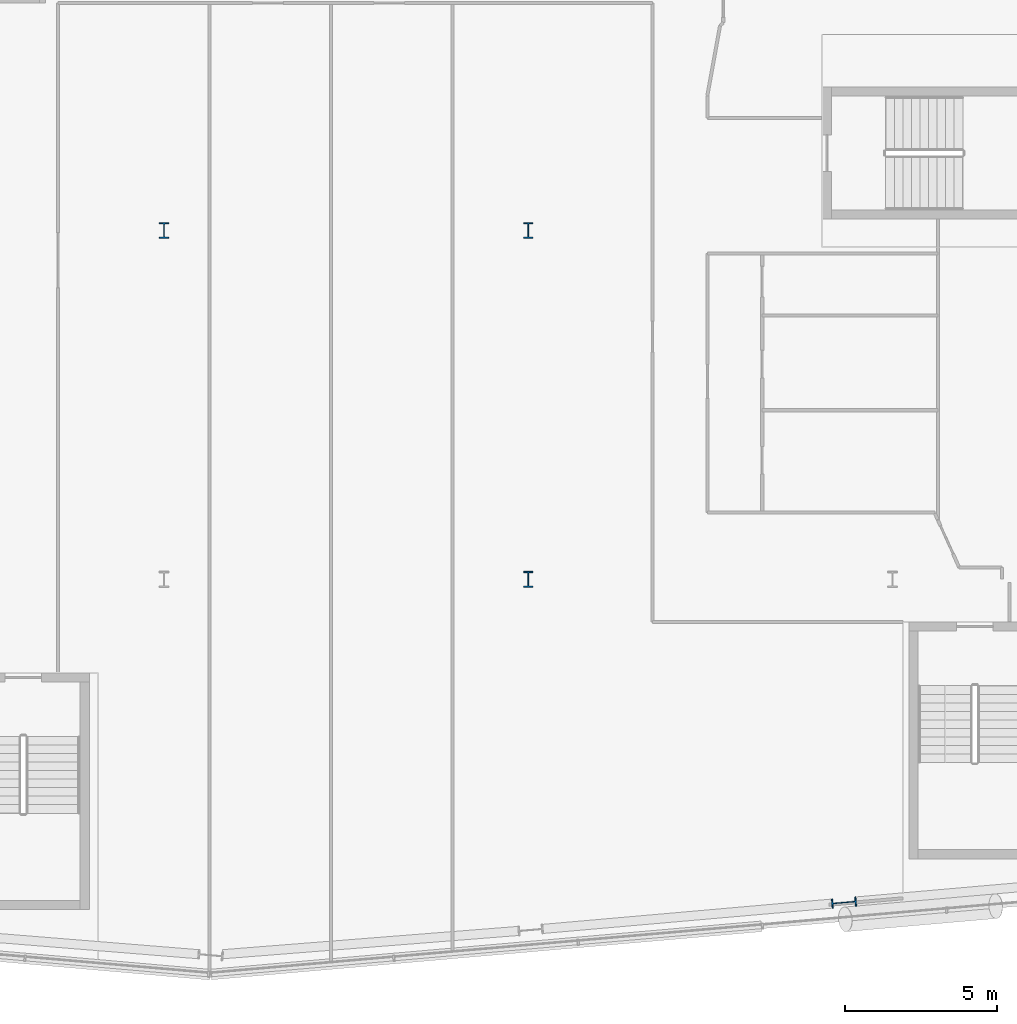
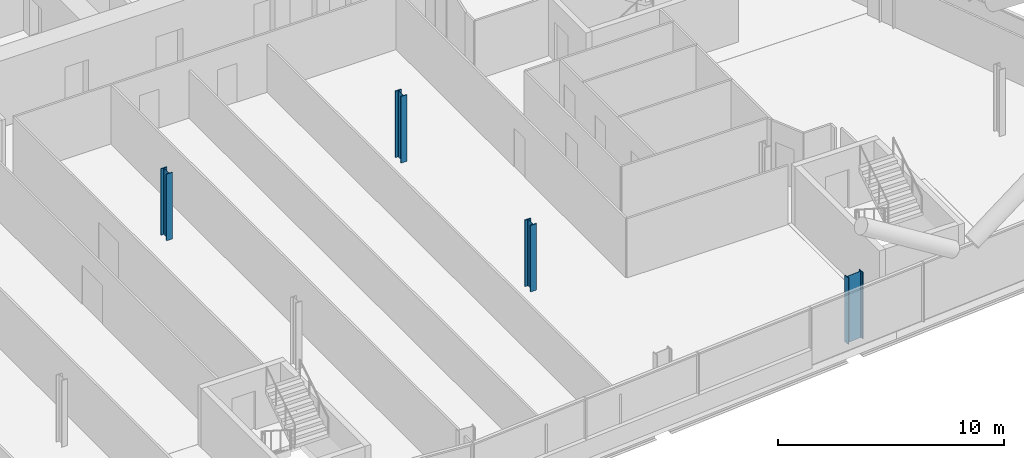
# One storey, part 2 of 26: 4 columns.
"""IFC4 building model written with IfcOpenShell, lengths in metres."""

from ifc_helpers import new_model, si_unit, direction, frame, origin, origin_2d, place, context, subcontext, project, spatial, i_section, extrude, material, material_profile, profile_set, type_object, element, save


model = new_model("IFC4")

# Units and contexts
model_context = context("Model", 3, precision=1e-05, world=origin(), true_north=direction((0.0, 1.0)))
body_context = subcontext(model_context, "Body", "Model", "MODEL_VIEW")
ifc_project = project(units=[si_unit("LENGTHUNIT", "METRE"), si_unit("AREAUNIT", "SQUARE_METRE"), si_unit("VOLUMEUNIT", "CUBIC_METRE"), si_unit("PLANEANGLEUNIT", "RADIAN"), si_unit("MASSUNIT", "GRAM", prefix="KILO")], contexts=[model_context])

# Site, building, storey
site_placement = place(None, origin())
site = spatial("IfcSite", under=ifc_project, at=site_placement, CompositionType="ELEMENT")
building_placement = place(site_placement, origin())
building = spatial("IfcBuilding", under=site, at=building_placement, Name="Wharfspan Tower", CompositionType="ELEMENT")
storey_placement = place(building_placement, frame((0.0, 0.0, 125.5)))
storey = spatial("IfcBuildingStorey", under=building, at=storey_placement, Name="L29", CompositionType="ELEMENT", Elevation=125.5)

# Columns
ifc_material = material(Name="Steel S355J2", Category="steel")
ifc_material_profile_1 = material_profile(ifc_material, i_section(OverallWidth=0.305908, OverallDepth=0.523926, WebThickness=0.020996, FlangeThickness=0.040039, FilletRadius=0.0271, at=origin_2d()))
ifc_profile_set_1 = profile_set([ifc_material_profile_1], Name="Steel S355J2")
column_type_1 = type_object("IfcColumnType", Name="Column HEM 500", PredefinedType="COLUMN", material=ifc_profile_set_1)
for number, where, z_axis, x_axis, name in (
    (1, (60.0, 11.5, 0.0), (0.0, 0.0, 1.0), (1.0, 0.0, 0.0), "Interior column I.1.5 L29"),
    (2, (48.0, 23.0, 0.0), (0.0, 0.0, 1.0), (1.0, 0.0, 0.0), "Interior column I.2.3 L29"),
    (3, (60.0, 23.0, 0.0), (0.0, 0.0, 1.0), (1.0, 0.0, 0.0), "Interior column I.2.4 L29"),
):
    element("IfcColumn", number, at=place(storey_placement, frame(where, z_axis=z_axis, x_axis=x_axis)), inside=storey, type_object=column_type_1, Name=name, PredefinedType="COLUMN", context=body_context, shape_type="SweptSolid", body=[
        extrude(i_section(OverallWidth=0.305908, OverallDepth=0.523926, WebThickness=0.020996, FlangeThickness=0.040039, FilletRadius=0.0271, at=origin_2d()), origin(), (0.0, 0.0, 1.0), 3.600098),
    ])
ifc_material_profile_2 = material_profile(ifc_material, i_section(OverallWidth=0.302979, OverallDepth=0.813965, WebThickness=0.020996, FlangeThickness=0.040039, FilletRadius=0.030029, at=origin_2d()))
ifc_profile_set_2 = profile_set([ifc_material_profile_2], Name="Steel S355J2")
column_type_2 = type_object("IfcColumnType", Name="Column HEM 800", PredefinedType="COLUMN", material=ifc_profile_set_2)
column_placement = place(storey_placement, frame((70.404053, 0.852783, 0.0), z_axis=(0.0, 0.0, 1.0), x_axis=(0.087156, -0.996198, 0.0)))
element("IfcColumn", 4, at=column_placement, inside=storey, type_object=column_type_2, Name="Perimeter column PS2.2 L29", PredefinedType="COLUMN", context=body_context, shape_type="SweptSolid", body=[
    extrude(i_section(OverallWidth=0.302979, OverallDepth=0.813965, WebThickness=0.020996, FlangeThickness=0.040039, FilletRadius=0.030029, at=origin_2d()), origin(), (0.0, 0.0, 1.0), 3.600098),
])

save(model, "model.ifc")
